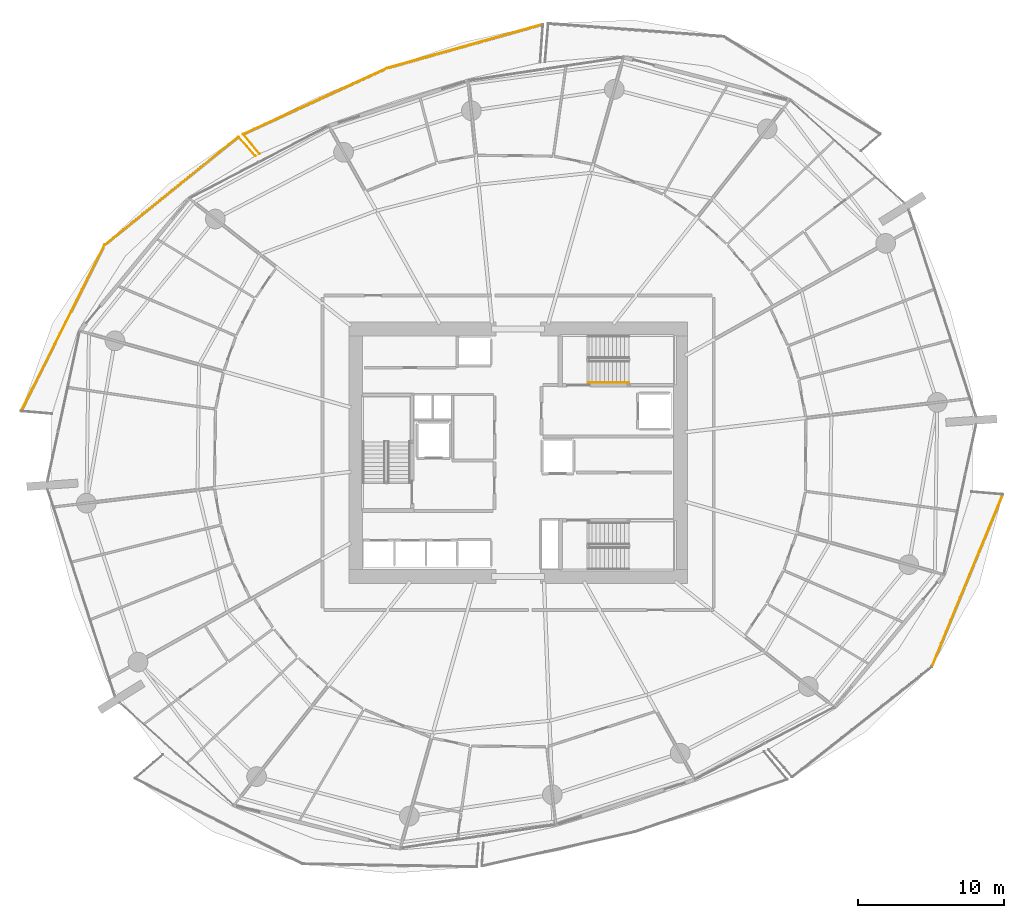
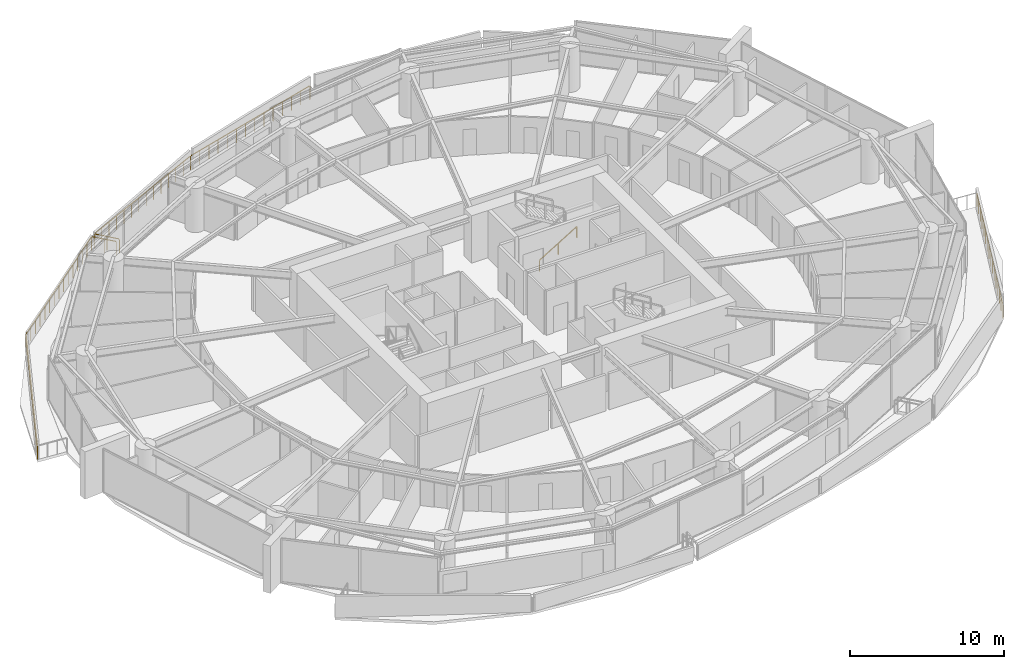
# One storey, part 29 of 31: 8 railings.
"""IFC4 building model written with IfcOpenShell, lengths in metres."""

from ifc_helpers import new_model, si_unit, direction, frame, origin, origin_2d, place, context, subcontext, project, spatial, rectangle, extrude, material, type_object, element, save


model = new_model("IFC4")

# Units and contexts
model_context = context("Model", 3, precision=1e-05, world=origin(), true_north=direction((0.0, 1.0)))
body_context = subcontext(model_context, "Body", "Model", "MODEL_VIEW")
ifc_project = project(units=[si_unit("LENGTHUNIT", "METRE"), si_unit("AREAUNIT", "SQUARE_METRE"), si_unit("VOLUMEUNIT", "CUBIC_METRE"), si_unit("PLANEANGLEUNIT", "RADIAN"), si_unit("MASSUNIT", "GRAM", prefix="KILO")], contexts=[model_context])

# Site, building, storey
site_placement = place(None, origin())
site = spatial("IfcSite", under=ifc_project, at=site_placement, CompositionType="ELEMENT")
building_placement = place(site_placement, origin())
building = spatial("IfcBuilding", under=site, at=building_placement, Name="Kazma Halo Residences", CompositionType="ELEMENT")
storey_placement = place(building_placement, frame((0.0, 0.0, 33.89990234375)))
storey = spatial("IfcBuildingStorey", under=building, at=storey_placement, Name="L07", CompositionType="ELEMENT", Elevation=33.89990234375)

# Railings
ifc_material_1 = material(Name="Aluminium AW-6063 T6 Brushed Cap Rail", Category="aluminium")
railing_type_1 = type_object("IfcRailingType", Name="RLG-BAL-CAP-1120", PredefinedType="BALUSTRADE", material=ifc_material_1)
railing_1_placement = place(storey_placement, frame((50.125732421875, 71.298583984375, 0.0)))
element("IfcRailing", 1, at=railing_1_placement, inside=storey, type_object=railing_type_1, Name="L07 NNW wave balcony guard 2", PredefinedType="BALUSTRADE", context=body_context, shape_type="SweptSolid", body=[
    extrude(rectangle(XDim=0.050048828125, YDim=0.050048828125, at=origin_2d()), frame((-0.041015625, -0.011474609375, 1.09521484375), z_axis=(-0.962607692891, -0.270899297871, 0.0), x_axis=(0.270899297871, -0.962607692891, 0.0)), (0.0, 0.0, 1.0), 10.9990234375),
    extrude(rectangle(XDim=0.0400390625, YDim=0.0400390625, at=origin_2d()), origin(), (0.0, 0.0, 1.0), 1.05810546875),
    extrude(rectangle(XDim=0.0400390625, YDim=0.0400390625, at=origin_2d()), frame((-0.82080078125, -0.23095703125, 0.0)), (0.0, 0.0, 1.0), 1.05810546875),
    extrude(rectangle(XDim=0.0400390625, YDim=0.0400390625, at=origin_2d()), frame((-1.6416015625, -0.4619140625, 0.0)), (0.0, 0.0, 1.0), 1.05810546875),
    extrude(rectangle(XDim=0.0400390625, YDim=0.0400390625, at=origin_2d()), frame((-2.462158203125, -0.69287109375, 0.0)), (0.0, 0.0, 1.0), 1.05810546875),
    extrude(rectangle(XDim=0.0400390625, YDim=0.0400390625, at=origin_2d()), frame((-3.282958984375, -0.923828125, 0.0)), (0.0, 0.0, 1.0), 1.05810546875),
    extrude(rectangle(XDim=0.0400390625, YDim=0.0400390625, at=origin_2d()), frame((-4.103759765625, -1.15478515625, 0.0)), (0.0, 0.0, 1.0), 1.05810546875),
    extrude(rectangle(XDim=0.0400390625, YDim=0.0400390625, at=origin_2d()), frame((-4.924560546875, -1.3857421875, 0.0)), (0.0, 0.0, 1.0), 1.05810546875),
    extrude(rectangle(XDim=0.0400390625, YDim=0.0400390625, at=origin_2d()), frame((-5.7451171875, -1.616943359375, 0.0)), (0.0, 0.0, 1.0), 1.05810546875),
    extrude(rectangle(XDim=0.0400390625, YDim=0.0400390625, at=origin_2d()), frame((-6.56591796875, -1.847900390625, 0.0)), (0.0, 0.0, 1.0), 1.05810546875),
    extrude(rectangle(XDim=0.0400390625, YDim=0.0400390625, at=origin_2d()), frame((-7.38671875, -2.078857421875, 0.0)), (0.0, 0.0, 1.0), 1.05810546875),
    extrude(rectangle(XDim=0.0400390625, YDim=0.0400390625, at=origin_2d()), frame((-8.20751953125, -2.309814453125, 0.0)), (0.0, 0.0, 1.0), 1.05810546875),
    extrude(rectangle(XDim=0.0400390625, YDim=0.0400390625, at=origin_2d()), frame((-9.028076171875, -2.540771484375, 0.0)), (0.0, 0.0, 1.0), 1.05810546875),
    extrude(rectangle(XDim=0.0400390625, YDim=0.0400390625, at=origin_2d()), frame((-9.848876953125, -2.771728515625, 0.0)), (0.0, 0.0, 1.0), 1.05810546875),
    extrude(rectangle(XDim=0.0400390625, YDim=0.0400390625, at=origin_2d()), frame((-10.669677734375, -3.002685546875, 0.0)), (0.0, 0.0, 1.0), 1.05810546875),
])
railing_2_placement = place(storey_placement, frame((39.4560546875, 68.2958984375, 0.0)))
element("IfcRailing", 2, at=railing_2_placement, inside=storey, type_object=railing_type_1, Name="L07 NNW wave balcony guard 3", PredefinedType="BALUSTRADE", context=body_context, shape_type="SweptSolid", body=[
    extrude(rectangle(XDim=0.050048828125, YDim=0.050048828125, at=origin_2d()), frame((-0.03857421875, -0.017822265625, 1.09521484375), z_axis=(-0.908696513556, -0.417457358603, 0.0), x_axis=(0.417457358603, -0.908696513556, 0.0)), (0.0, 0.0, 1.0), 10.73193359375),
    extrude(rectangle(XDim=0.0400390625, YDim=0.0400390625, at=origin_2d()), origin(), (0.0, 0.0, 1.0), 1.05810546875),
    extrude(rectangle(XDim=0.0400390625, YDim=0.0400390625, at=origin_2d()), frame((-0.756103515625, -0.347412109375, 0.0)), (0.0, 0.0, 1.0), 1.05810546875),
    extrude(rectangle(XDim=0.0400390625, YDim=0.0400390625, at=origin_2d()), frame((-1.51220703125, -0.69482421875, 0.0)), (0.0, 0.0, 1.0), 1.05810546875),
    extrude(rectangle(XDim=0.0400390625, YDim=0.0400390625, at=origin_2d()), frame((-2.268310546875, -1.0419921875, 0.0)), (0.0, 0.0, 1.0), 1.05810546875),
    extrude(rectangle(XDim=0.0400390625, YDim=0.0400390625, at=origin_2d()), frame((-3.0244140625, -1.389404296875, 0.0)), (0.0, 0.0, 1.0), 1.05810546875),
    extrude(rectangle(XDim=0.0400390625, YDim=0.0400390625, at=origin_2d()), frame((-3.780517578125, -1.73681640625, 0.0)), (0.0, 0.0, 1.0), 1.05810546875),
    extrude(rectangle(XDim=0.0400390625, YDim=0.0400390625, at=origin_2d()), frame((-4.53662109375, -2.084228515625, 0.0)), (0.0, 0.0, 1.0), 1.05810546875),
    extrude(rectangle(XDim=0.0400390625, YDim=0.0400390625, at=origin_2d()), frame((-5.292724609375, -2.431396484375, 0.0)), (0.0, 0.0, 1.0), 1.05810546875),
    extrude(rectangle(XDim=0.0400390625, YDim=0.0400390625, at=origin_2d()), frame((-6.048828125, -2.77880859375, 0.0)), (0.0, 0.0, 1.0), 1.05810546875),
    extrude(rectangle(XDim=0.0400390625, YDim=0.0400390625, at=origin_2d()), frame((-6.804931640625, -3.126220703125, 0.0)), (0.0, 0.0, 1.0), 1.05810546875),
    extrude(rectangle(XDim=0.0400390625, YDim=0.0400390625, at=origin_2d()), frame((-7.56103515625, -3.4736328125, 0.0)), (0.0, 0.0, 1.0), 1.05810546875),
    extrude(rectangle(XDim=0.0400390625, YDim=0.0400390625, at=origin_2d()), frame((-8.317138671875, -3.82080078125, 0.0)), (0.0, 0.0, 1.0), 1.05810546875),
    extrude(rectangle(XDim=0.0400390625, YDim=0.0400390625, at=origin_2d()), frame((-9.0732421875, -4.168212890625, 0.0)), (0.0, 0.0, 1.0), 1.05810546875),
    extrude(rectangle(XDim=0.0400390625, YDim=0.0400390625, at=origin_2d()), frame((-9.829345703125, -4.515625, 0.0)), (0.0, 0.0, 1.0), 1.05810546875),
])
railing_3_placement = place(storey_placement, frame((29.626708984375, 63.7802734375, 0.0)))
element("IfcRailing", 3, at=railing_3_placement, inside=storey, type_object=railing_type_1, Name="L07 NNW wave balcony guard 4", PredefinedType="BALUSTRADE", context=body_context, shape_type="SweptSolid", body=[
    extrude(rectangle(XDim=0.050048828125, YDim=0.050048828125, at=origin_2d()), frame((0.02734375, -0.032470703125, 1.09521484375), z_axis=(0.64482495794, -0.764330277836, 0.0), x_axis=(0.764330277836, 0.64482495794, 0.0)), (0.0, 0.0, 1.0), 1.65966796875),
    extrude(rectangle(XDim=0.0400390625, YDim=0.0400390625, at=origin_2d()), origin(), (0.0, 0.0, 1.0), 1.05810546875),
    extrude(rectangle(XDim=0.0400390625, YDim=0.0400390625, at=origin_2d()), frame((0.5625, -0.666748046875, 0.0)), (0.0, 0.0, 1.0), 1.05810546875),
    extrude(rectangle(XDim=0.0400390625, YDim=0.0400390625, at=origin_2d()), frame((1.125, -1.33349609375, 0.0)), (0.0, 0.0, 1.0), 1.05810546875),
])
railing_4_placement = place(storey_placement, frame((30.453857421875, 62.29150390625, 0.0)))
element("IfcRailing", 4, at=railing_4_placement, inside=storey, type_object=railing_type_1, Name="L07 NW wave balcony guard 1", PredefinedType="BALUSTRADE", context=body_context, shape_type="SweptSolid", body=[
    extrude(rectangle(XDim=0.050048828125, YDim=0.050048828125, at=origin_2d()), frame((-0.02783203125, 0.0322265625, 1.09521484375), z_axis=(-0.654073667873, 0.756430854074, 0.0), x_axis=(-0.756430854074, -0.654073667873, 0.0)), (0.0, 0.0, 1.0), 1.6513671875),
    extrude(rectangle(XDim=0.0400390625, YDim=0.0400390625, at=origin_2d()), origin(), (0.0, 0.0, 1.0), 1.05810546875),
    extrude(rectangle(XDim=0.0400390625, YDim=0.0400390625, at=origin_2d()), frame((-0.56787109375, 0.65673828125, 0.0)), (0.0, 0.0, 1.0), 1.05810546875),
    extrude(rectangle(XDim=0.0400390625, YDim=0.0400390625, at=origin_2d()), frame((-1.1357421875, 1.3134765625, 0.0)), (0.0, 0.0, 1.0), 1.05810546875),
])
railing_5_placement = place(storey_placement, frame((29.318115234375, 63.60498046875, 0.0)))
element("IfcRailing", 5, at=railing_5_placement, inside=storey, type_object=railing_type_1, Name="L07 NW wave balcony guard 2", PredefinedType="BALUSTRADE", context=body_context, shape_type="SweptSolid", body=[
    extrude(rectangle(XDim=0.050048828125, YDim=0.050048828125, at=origin_2d()), frame((-0.033203125, -0.026611328125, 1.09521484375), z_axis=(-0.778157860784, -0.628068741222, 0.0), x_axis=(0.628068741222, -0.778157860784, 0.0)), (0.0, 0.0, 1.0), 11.711181640625),
    extrude(rectangle(XDim=0.0400390625, YDim=0.0400390625, at=origin_2d()), origin(), (0.0, 0.0, 1.0), 1.05810546875),
    extrude(rectangle(XDim=0.0400390625, YDim=0.0400390625, at=origin_2d()), frame((-0.65576171875, -0.529296875, 0.0)), (0.0, 0.0, 1.0), 1.05810546875),
    extrude(rectangle(XDim=0.0400390625, YDim=0.0400390625, at=origin_2d()), frame((-1.311279296875, -1.058349609375, 0.0)), (0.0, 0.0, 1.0), 1.05810546875),
    extrude(rectangle(XDim=0.0400390625, YDim=0.0400390625, at=origin_2d()), frame((-1.967041015625, -1.587646484375, 0.0)), (0.0, 0.0, 1.0), 1.05810546875),
    extrude(rectangle(XDim=0.0400390625, YDim=0.0400390625, at=origin_2d()), frame((-2.622802734375, -2.116943359375, 0.0)), (0.0, 0.0, 1.0), 1.05810546875),
    extrude(rectangle(XDim=0.0400390625, YDim=0.0400390625, at=origin_2d()), frame((-3.2783203125, -2.64599609375, 0.0)), (0.0, 0.0, 1.0), 1.05810546875),
    extrude(rectangle(XDim=0.0400390625, YDim=0.0400390625, at=origin_2d()), frame((-3.93408203125, -3.17529296875, 0.0)), (0.0, 0.0, 1.0), 1.05810546875),
    extrude(rectangle(XDim=0.0400390625, YDim=0.0400390625, at=origin_2d()), frame((-4.58984375, -3.70458984375, 0.0)), (0.0, 0.0, 1.0), 1.05810546875),
    extrude(rectangle(XDim=0.0400390625, YDim=0.0400390625, at=origin_2d()), frame((-5.245361328125, -4.233642578125, 0.0)), (0.0, 0.0, 1.0), 1.05810546875),
    extrude(rectangle(XDim=0.0400390625, YDim=0.0400390625, at=origin_2d()), frame((-5.901123046875, -4.762939453125, 0.0)), (0.0, 0.0, 1.0), 1.05810546875),
    extrude(rectangle(XDim=0.0400390625, YDim=0.0400390625, at=origin_2d()), frame((-6.556640625, -5.2919921875, 0.0)), (0.0, 0.0, 1.0), 1.05810546875),
    extrude(rectangle(XDim=0.0400390625, YDim=0.0400390625, at=origin_2d()), frame((-7.21240234375, -5.8212890625, 0.0)), (0.0, 0.0, 1.0), 1.05810546875),
    extrude(rectangle(XDim=0.0400390625, YDim=0.0400390625, at=origin_2d()), frame((-7.8681640625, -6.3505859375, 0.0)), (0.0, 0.0, 1.0), 1.05810546875),
    extrude(rectangle(XDim=0.0400390625, YDim=0.0400390625, at=origin_2d()), frame((-8.523681640625, -6.879638671875, 0.0)), (0.0, 0.0, 1.0), 1.05810546875),
    extrude(rectangle(XDim=0.0400390625, YDim=0.0400390625, at=origin_2d()), frame((-9.179443359375, -7.408935546875, 0.0)), (0.0, 0.0, 1.0), 1.05810546875),
])
railing_6_placement = place(storey_placement, frame((20.138671875, 56.196044921875, 0.0)))
element("IfcRailing", 6, at=railing_6_placement, inside=storey, type_object=railing_type_1, Name="L07 NW wave balcony guard 3", PredefinedType="BALUSTRADE", context=body_context, shape_type="SweptSolid", body=[
    extrude(rectangle(XDim=0.050048828125, YDim=0.050048828125, at=origin_2d()), frame((-0.01904296875, -0.0380859375, 1.09521484375), z_axis=(-0.448451441279, -0.893807196667, 0.0), x_axis=(0.893807196667, -0.448451441279, 0.0)), (0.0, 0.0, 1.0), 12.612060546875),
    extrude(rectangle(XDim=0.0400390625, YDim=0.0400390625, at=origin_2d()), origin(), (0.0, 0.0, 1.0), 1.05810546875),
    extrude(rectangle(XDim=0.0400390625, YDim=0.0400390625, at=origin_2d()), frame((-0.379638671875, -0.756591796875, 0.0)), (0.0, 0.0, 1.0), 1.05810546875),
    extrude(rectangle(XDim=0.0400390625, YDim=0.0400390625, at=origin_2d()), frame((-0.75927734375, -1.51318359375, 0.0)), (0.0, 0.0, 1.0), 1.05810546875),
    extrude(rectangle(XDim=0.0400390625, YDim=0.0400390625, at=origin_2d()), frame((-1.138916015625, -2.269775390625, 0.0)), (0.0, 0.0, 1.0), 1.05810546875),
    extrude(rectangle(XDim=0.0400390625, YDim=0.0400390625, at=origin_2d()), frame((-1.518310546875, -3.0263671875, 0.0)), (0.0, 0.0, 1.0), 1.05810546875),
    extrude(rectangle(XDim=0.0400390625, YDim=0.0400390625, at=origin_2d()), frame((-1.89794921875, -3.782958984375, 0.0)), (0.0, 0.0, 1.0), 1.05810546875),
    extrude(rectangle(XDim=0.0400390625, YDim=0.0400390625, at=origin_2d()), frame((-2.277587890625, -4.53955078125, 0.0)), (0.0, 0.0, 1.0), 1.05810546875),
    extrude(rectangle(XDim=0.0400390625, YDim=0.0400390625, at=origin_2d()), frame((-2.6572265625, -5.296142578125, 0.0)), (0.0, 0.0, 1.0), 1.05810546875),
    extrude(rectangle(XDim=0.0400390625, YDim=0.0400390625, at=origin_2d()), frame((-3.036865234375, -6.052734375, 0.0)), (0.0, 0.0, 1.0), 1.05810546875),
    extrude(rectangle(XDim=0.0400390625, YDim=0.0400390625, at=origin_2d()), frame((-3.41650390625, -6.809326171875, 0.0)), (0.0, 0.0, 1.0), 1.05810546875),
    extrude(rectangle(XDim=0.0400390625, YDim=0.0400390625, at=origin_2d()), frame((-3.796142578125, -7.56591796875, 0.0)), (0.0, 0.0, 1.0), 1.05810546875),
    extrude(rectangle(XDim=0.0400390625, YDim=0.0400390625, at=origin_2d()), frame((-4.17578125, -8.322509765625, 0.0)), (0.0, 0.0, 1.0), 1.05810546875),
    extrude(rectangle(XDim=0.0400390625, YDim=0.0400390625, at=origin_2d()), frame((-4.55517578125, -9.0791015625, 0.0)), (0.0, 0.0, 1.0), 1.05810546875),
    extrude(rectangle(XDim=0.0400390625, YDim=0.0400390625, at=origin_2d()), frame((-4.934814453125, -9.835693359375, 0.0)), (0.0, 0.0, 1.0), 1.05810546875),
    extrude(rectangle(XDim=0.0400390625, YDim=0.0400390625, at=origin_2d()), frame((-5.314453125, -10.59228515625, 0.0)), (0.0, 0.0, 1.0), 1.05810546875),
    extrude(rectangle(XDim=0.0400390625, YDim=0.0400390625, at=origin_2d()), frame((-5.694091796875, -11.348876953125, 0.0)), (0.0, 0.0, 1.0), 1.05810546875),
])
railing_7_placement = place(storey_placement, frame((76.717529296875, 27.36767578125, 0.0)))
element("IfcRailing", 7, at=railing_7_placement, inside=storey, type_object=railing_type_1, Name="L07 SE wave balcony guard 3", PredefinedType="BALUSTRADE", context=body_context, shape_type="SweptSolid", body=[
    extrude(rectangle(XDim=0.050048828125, YDim=0.050048828125, at=origin_2d()), frame((0.01611328125, 0.039306640625, 1.09521484375), z_axis=(0.38108024228, 0.924541967108, 0.0), x_axis=(-0.924541967108, 0.38108024228, 0.0)), (0.0, 0.0, 1.0), 12.66015625),
    extrude(rectangle(XDim=0.0400390625, YDim=0.0400390625, at=origin_2d()), origin(), (0.0, 0.0, 1.0), 1.05810546875),
    extrude(rectangle(XDim=0.0400390625, YDim=0.0400390625, at=origin_2d()), frame((0.32373046875, 0.78564453125, 0.0)), (0.0, 0.0, 1.0), 1.05810546875),
    extrude(rectangle(XDim=0.0400390625, YDim=0.0400390625, at=origin_2d()), frame((0.647705078125, 1.571044921875, 0.0)), (0.0, 0.0, 1.0), 1.05810546875),
    extrude(rectangle(XDim=0.0400390625, YDim=0.0400390625, at=origin_2d()), frame((0.971435546875, 2.356689453125, 0.0)), (0.0, 0.0, 1.0), 1.05810546875),
    extrude(rectangle(XDim=0.0400390625, YDim=0.0400390625, at=origin_2d()), frame((1.295166015625, 3.142333984375, 0.0)), (0.0, 0.0, 1.0), 1.05810546875),
    extrude(rectangle(XDim=0.0400390625, YDim=0.0400390625, at=origin_2d()), frame((1.618896484375, 3.927734375, 0.0)), (0.0, 0.0, 1.0), 1.05810546875),
    extrude(rectangle(XDim=0.0400390625, YDim=0.0400390625, at=origin_2d()), frame((1.94287109375, 4.71337890625, 0.0)), (0.0, 0.0, 1.0), 1.05810546875),
    extrude(rectangle(XDim=0.0400390625, YDim=0.0400390625, at=origin_2d()), frame((2.2666015625, 5.4990234375, 0.0)), (0.0, 0.0, 1.0), 1.05810546875),
    extrude(rectangle(XDim=0.0400390625, YDim=0.0400390625, at=origin_2d()), frame((2.59033203125, 6.284423828125, 0.0)), (0.0, 0.0, 1.0), 1.05810546875),
    extrude(rectangle(XDim=0.0400390625, YDim=0.0400390625, at=origin_2d()), frame((2.9140625, 7.070068359375, 0.0)), (0.0, 0.0, 1.0), 1.05810546875),
    extrude(rectangle(XDim=0.0400390625, YDim=0.0400390625, at=origin_2d()), frame((3.238037109375, 7.855712890625, 0.0)), (0.0, 0.0, 1.0), 1.05810546875),
    extrude(rectangle(XDim=0.0400390625, YDim=0.0400390625, at=origin_2d()), frame((3.561767578125, 8.64111328125, 0.0)), (0.0, 0.0, 1.0), 1.05810546875),
    extrude(rectangle(XDim=0.0400390625, YDim=0.0400390625, at=origin_2d()), frame((3.885498046875, 9.4267578125, 0.0)), (0.0, 0.0, 1.0), 1.05810546875),
    extrude(rectangle(XDim=0.0400390625, YDim=0.0400390625, at=origin_2d()), frame((4.209228515625, 10.21240234375, 0.0)), (0.0, 0.0, 1.0), 1.05810546875),
    extrude(rectangle(XDim=0.0400390625, YDim=0.0400390625, at=origin_2d()), frame((4.533203125, 10.997802734375, 0.0)), (0.0, 0.0, 1.0), 1.05810546875),
    extrude(rectangle(XDim=0.0400390625, YDim=0.0400390625, at=origin_2d()), frame((4.85693359375, 11.783447265625, 0.0)), (0.0, 0.0, 1.0), 1.05810546875),
])
ifc_material_2 = material(Name="Brushed Stainless Steel", Category="steel")
railing_type_2 = type_object("IfcRailingType", Name="RLG-STAIR-HND-900", PredefinedType="HANDRAIL", material=ifc_material_2)
railing_8_placement = place(storey_placement, frame((53.199951171875, 46.800048828125, 0.170654296875)))
element("IfcRailing", 8, at=railing_8_placement, inside=storey, type_object=railing_type_2, Name="L07 ST-02 stair handrail 1", PredefinedType="HANDRAIL", context=body_context, shape_type="SweptSolid", body=[
    extrude(rectangle(XDim=0.050048828125, YDim=0.050048828125, at=origin_2d()), frame((0.036376953125, 0.0, 0.89697265625), z_axis=(0.854202870247, 0.0, 0.519939858505), x_axis=(0.0, 1.0, 0.0)), (0.0, 0.0, 1.0), 3.19287109375),
    extrude(rectangle(XDim=0.0400390625, YDim=0.0400390625, at=origin_2d()), origin(), (0.0, 0.0, 1.0), 0.837890625),
    extrude(rectangle(XDim=0.0400390625, YDim=0.0400390625, at=origin_2d()), frame((1.39990234375, 0.0, 0.85205078125)), (0.0, 0.0, 1.0), 0.837890625),
    extrude(rectangle(XDim=0.0400390625, YDim=0.0400390625, at=origin_2d()), frame((2.800048828125, 0.0, 1.704345703125)), (0.0, 0.0, 1.0), 0.837890625),
])

save(model, "model.ifc")
